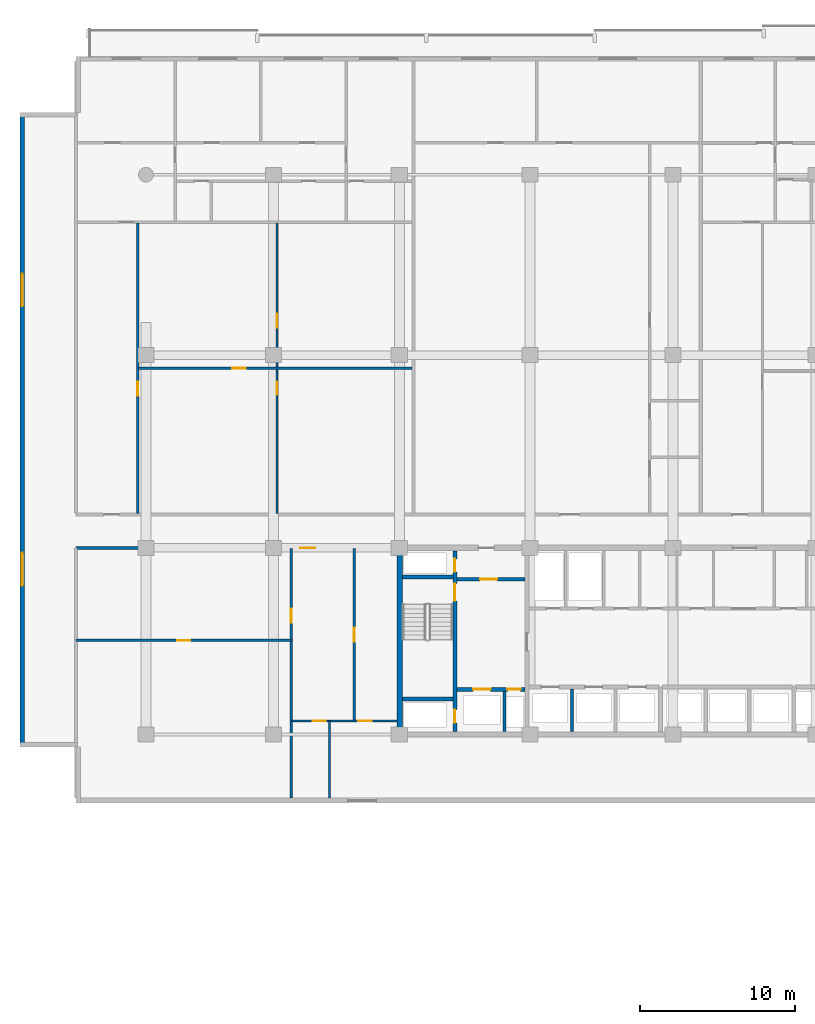
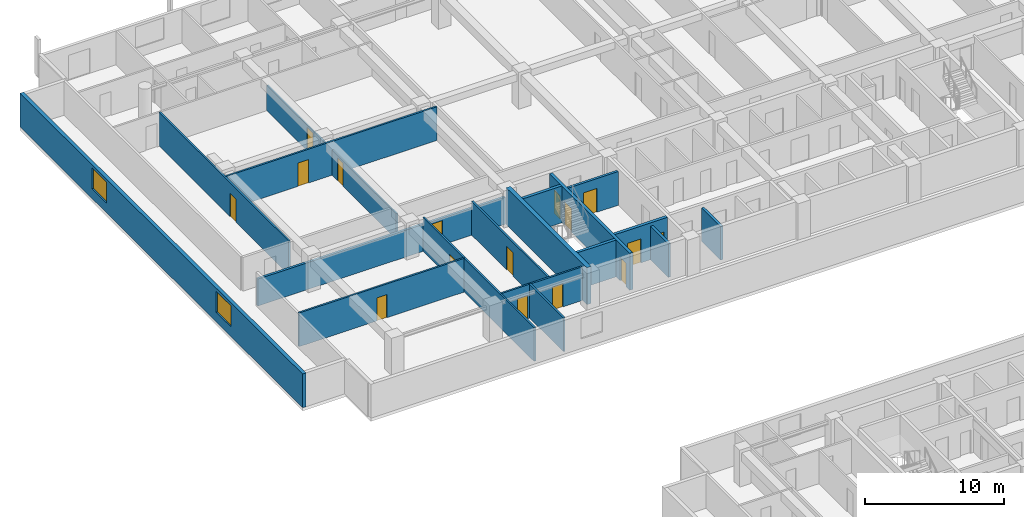
# One storey, part 10 of 23: 18 walls, 16 doors, 2 windows, 18 openings.
"""IFC4 building model written with IfcOpenShell, lengths in metres."""

from ifc_helpers import new_model, si_unit, direction, frame, frame_2d, origin, place, context, subcontext, project, spatial, rectangle, extrude, material, layer, layer_set, type_object, element, fill, save


model = new_model("IFC4")

# Units and contexts
model_context = context("Model", 3, precision=1e-05, world=origin(), true_north=direction((0.0, 1.0)))
body_context = subcontext(model_context, "Body", "Model", "MODEL_VIEW")
ifc_project = project(units=[si_unit("LENGTHUNIT", "METRE"), si_unit("AREAUNIT", "SQUARE_METRE"), si_unit("VOLUMEUNIT", "CUBIC_METRE"), si_unit("PLANEANGLEUNIT", "RADIAN"), si_unit("MASSUNIT", "GRAM", prefix="KILO")], contexts=[model_context])

# Site, building, storey
site_placement = place(None, origin())
site = spatial("IfcSite", under=ifc_project, at=site_placement, CompositionType="ELEMENT")
building_placement = place(site_placement, origin())
building = spatial("IfcBuilding", under=site, at=building_placement, Name="Korimba Cascade Residences", CompositionType="ELEMENT")
storey_placement = place(building_placement, frame((0.0, 0.0, 59.75)))
storey = spatial("IfcBuildingStorey", under=building, at=storey_placement, Name="L16", CompositionType="ELEMENT", Elevation=59.75)

# Wall, openings, windows
ifc_material_1 = material(Name="Precast concrete C40/50", Category="concrete")
ifc_layer_1 = layer(ifc_material_1, 0.300048828125)
ifc_layer_set_1 = layer_set([ifc_layer_1], Name="Precast concrete C40/50")
wall_type_1 = type_object("IfcWallType", Name="EW-STONE-300", PredefinedType="STANDARD", material=ifc_layer_set_1)
wall_1_placement = place(storey_placement, frame((51.85009765625, 95.199951171875, 0.0), z_axis=(0.0, 0.0, 1.0), x_axis=(0.0, -1.0, 0.0)))
wall_1 = element("IfcWall", 1, at=wall_1_placement, inside=storey, type_object=wall_type_1, Name="L16 T1 Perimeter Stone Wall E09", PredefinedType="STANDARD", context=body_context, shape_type="SweptSolid", body=[
    extrude(rectangle(XDim=40.800048828125, YDim=0.300048828125, at=frame_2d((20.39990234375, 0.0))), origin(), (0.0, 0.0, 1.0), 2.969970703125),
])
opening_1_placement = place(wall_1_placement, frame((10.3740234375, 0.0, 0.85009765625)))
opening_1 = element("IfcOpeningElement", 2, at=opening_1_placement, cuts=wall_1, Name="Opening W-03", PredefinedType="OPENING", context=body_context, shape_type="SweptSolid", body=[
    extrude(rectangle(XDim=2.10009765625, YDim=1.85009765625, at=frame_2d((1.050048828125, 0.925048828125))), frame((0.0, 0.16015625, 0.0), z_axis=(0.0, -1.0, 0.0), x_axis=(1.0, 0.0, 0.0)), (0.0, 0.0, 1.0), 0.320068359375),
])
opening_2_placement = place(wall_1_placement, frame((28.325927734375, 0.0, 0.85009765625)))
opening_2 = element("IfcOpeningElement", 3, at=opening_2_placement, cuts=wall_1, Name="Opening W-03", PredefinedType="OPENING", context=body_context, shape_type="SweptSolid", body=[
    extrude(rectangle(XDim=2.10009765625, YDim=1.85009765625, at=frame_2d((1.050048828125, 0.925048828125))), frame((0.0, 0.16015625, 0.0), z_axis=(0.0, -1.0, 0.0), x_axis=(1.0, 0.0, 0.0)), (0.0, 0.0, 1.0), 0.320068359375),
])
ifc_material_2 = material(Name="Double-Glazed Aluminium Window", Category="aluminium")
window_type = type_object("IfcWindowType", Name="WIN-CRN-2100", PartitioningType="DOUBLE_PANEL_HORIZONTAL", PredefinedType="WINDOW", material=ifc_material_2)
window_1_placement = place(opening_1_placement, origin())
window_1 = element("IfcWindow", 4, at=window_1_placement, inside=storey, type_object=window_type, Name="L16 T1 End View Window 9.1", OverallHeight=1.85009765625, OverallWidth=2.10009765625, PartitioningType="DOUBLE_PANEL_HORIZONTAL", PredefinedType="WINDOW", context=body_context, shape_type="SweptSolid", body=[
    extrude(rectangle(XDim=2.10009765625, YDim=1.85009765625, at=frame_2d((1.050048828125, 0.925048828125))), frame((0.0, 0.030029296875, 0.0), z_axis=(0.0, -1.0, 0.0), x_axis=(1.0, 0.0, 0.0)), (0.0, 0.0, 1.0), 0.06005859375),
])
fill(opening_1, window_1)
window_2_placement = place(opening_2_placement, origin())
window_2 = element("IfcWindow", 5, at=window_2_placement, inside=storey, type_object=window_type, Name="L16 T1 End View Window 9.2", OverallHeight=1.85009765625, OverallWidth=2.10009765625, PartitioningType="DOUBLE_PANEL_HORIZONTAL", PredefinedType="WINDOW", context=body_context, shape_type="SweptSolid", body=[
    extrude(rectangle(XDim=2.10009765625, YDim=1.85009765625, at=frame_2d((1.050048828125, 0.925048828125))), frame((0.0, 0.030029296875, 0.0), z_axis=(0.0, -1.0, 0.0), x_axis=(1.0, 0.0, 0.0)), (0.0, 0.0, 1.0), 0.06005859375),
])
fill(opening_2, window_2)

# Wall
ifc_material_3 = material(Name="Concrete C65/80", Category="concrete")
ifc_layer_2 = layer(ifc_material_3, 0.35009765625)
ifc_layer_set_2 = layer_set([ifc_layer_2], Name="Concrete C65/80")
wall_type_2 = type_object("IfcWallType", Name="WAL-CORE-350", PredefinedType="SHEAR", material=ifc_layer_set_2)
wall_2_placement = place(storey_placement, frame((76.125, 55.375, 0.0), z_axis=(0.0, 0.0, 1.0), x_axis=(0.0, 1.0, 0.0)))
element("IfcWall", 6, at=wall_2_placement, inside=storey, type_object=wall_type_2, Name="L16 Core Shear Wall CW-L16-T1-W", PredefinedType="SHEAR", context=body_context, shape_type="SweptSolid", body=[
    extrude(rectangle(XDim=11.64990234375, YDim=0.35009765625, at=frame_2d((5.824951171875, 0.0))), origin(), (0.0, 0.0, 1.0), 3.25),
])

# Wall, opening, door
ifc_layer_3 = layer(ifc_material_1, 0.199951171875)
ifc_layer_set_3 = layer_set([ifc_layer_3], Name="Precast concrete C40/50")
wall_type_3 = type_object("IfcWallType", Name="WAL-IT-200", PredefinedType="PARTITIONING", material=ifc_layer_set_3)
wall_3_placement = place(storey_placement, frame((55.300048828125, 67.199951171875, 0.0), z_axis=(0.0, 0.0, 1.0), x_axis=(1.0, 0.0, 0.0)))
wall_3 = element("IfcWall", 7, at=wall_3_placement, inside=storey, type_object=wall_type_3, Name="L16 Partition Wall WAL-L16-T1-FW-N", PredefinedType="PARTITIONING", context=body_context, shape_type="SweptSolid", body=[
    extrude(rectangle(XDim=20.64990234375, YDim=0.199951171875, at=frame_2d((10.324951171875, 0.0))), origin(), (0.0, 0.0, 1.0), 2.3701171875),
])
opening_3_placement = place(wall_3_placement, frame((14.426025390625, 0.0, 0.0)))
opening_3 = element("IfcOpeningElement", 8, at=opening_3_placement, cuts=wall_3, Name="Opening D-UN1", PredefinedType="OPENING", context=body_context, shape_type="SweptSolid", body=[
    extrude(rectangle(XDim=0.949951171875, YDim=2.14990234375, at=frame_2d((0.47509765625, 1.074951171875))), frame((0.0, 0.10986328125, 0.0), z_axis=(0.0, -1.0, 0.0), x_axis=(1.0, 0.0, 0.0)), (0.0, 0.0, 1.0), 0.219970703125),
])
ifc_material_4 = material(Name="Fire-Rated Hardwood Apartment Entrance Door", Category="wood")
door_type_1 = type_object("IfcDoorType", Name="DR-FD60-950", OperationType="NOTDEFINED", PredefinedType="DOOR", material=ifc_material_4)
door_1_placement = place(opening_3_placement, origin())
door_1 = element("IfcDoor", 9, at=door_1_placement, inside=storey, type_object=door_type_1, Name="L16-T1-FW Entrance Door", OperationType="SINGLE_SWING_LEFT", OverallHeight=2.14990234375, OverallWidth=0.949951171875, PredefinedType="DOOR", context=body_context, shape_type="SweptSolid", body=[
    extrude(rectangle(XDim=0.949951171875, YDim=2.14990234375, at=frame_2d((0.47509765625, 1.074951171875))), frame((0.0, 0.02490234375, 0.0), z_axis=(0.0, -1.0, 0.0), x_axis=(1.0, 0.0, 0.0)), (0.0, 0.0, 1.0), 0.050048828125),
])
fill(opening_3, door_1)

ifc_material_5 = material(Name="Insulated Acoustic Stud Partition", Category="gypsum")
ifc_layer_4 = layer(ifc_material_5, 0.14990234375)
ifc_layer_set_4 = layer_set([ifc_layer_4], Name="Insulated Acoustic Stud Partition")
wall_type_4 = type_object("IfcWallType", Name="WAL-PART-150", PredefinedType="PARTITIONING", material=ifc_layer_set_4)
wall_4_placement = place(storey_placement, frame((55.300048828125, 61.25, 0.0), z_axis=(0.0, 0.0, 1.0), x_axis=(1.0, 0.0, 0.0)))
wall_4 = element("IfcWall", 10, at=wall_4_placement, inside=storey, type_object=wall_type_4, Name="L16 Partition Wall WAL-L16-T1-FW-STH", PredefinedType="PARTITIONING", context=body_context, shape_type="SweptSolid", body=[
    extrude(rectangle(XDim=13.849853515625, YDim=0.14990234375, at=frame_2d((6.9248046875, 0.0))), origin(), (0.0, 0.0, 1.0), 2.969970703125),
])
opening_4_placement = place(wall_4_placement, frame((6.5048828125, 0.0, 0.0)))
opening_4 = element("IfcOpeningElement", 11, at=opening_4_placement, cuts=wall_4, Name="Opening D-BT1", PredefinedType="OPENING", context=body_context, shape_type="SweptSolid", body=[
    extrude(rectangle(XDim=0.840087890625, YDim=2.0400390625, at=frame_2d((0.419921875, 1.02001953125))), frame((0.0, 0.0849609375, 0.0), z_axis=(0.0, -1.0, 0.0), x_axis=(1.0, 0.0, 0.0)), (0.0, 0.0, 1.0), 0.169921875),
])
ifc_material_6 = material(Name="Moisture-Resistant Bathroom Timber Door", Category="wood")
door_type_2 = type_object("IfcDoorType", Name="DR-INT-850", OperationType="NOTDEFINED", PredefinedType="DOOR", material=ifc_material_6)
door_2_placement = place(opening_4_placement, origin())
door_2 = element("IfcDoor", 12, at=door_2_placement, inside=storey, type_object=door_type_2, Name="L16-T1-FW Dressing Store Door", OperationType="SINGLE_SWING_RIGHT", OverallHeight=2.0400390625, OverallWidth=0.840087890625, PredefinedType="DOOR", context=body_context, shape_type="SweptSolid", body=[
    extrude(rectangle(XDim=0.840087890625, YDim=2.0400390625, at=frame_2d((0.419921875, 1.02001953125))), frame((0.0, 0.02490234375, 0.0), z_axis=(0.0, -1.0, 0.0), x_axis=(1.0, 0.0, 0.0)), (0.0, 0.0, 1.0), 0.050048828125),
])
fill(opening_4, door_2)

wall_5_placement = place(storey_placement, frame((69.14990234375, 51.10009765625, 0.0), z_axis=(0.0, 0.0, 1.0), x_axis=(0.0, 1.0, 0.0)))
wall_5 = element("IfcWall", 13, at=wall_5_placement, inside=storey, type_object=wall_type_4, Name="L16 Partition Wall WAL-L16-T1-FW-STV", PredefinedType="PARTITIONING", context=body_context, shape_type="SweptSolid", body=[
    extrude(rectangle(XDim=16.0498046875, YDim=0.14990234375, at=frame_2d((8.02490234375, 0.0))), origin(), (0.0, 0.0, 1.0), 2.969970703125),
])
opening_5_placement = place(wall_5_placement, frame((11.300048828125, 0.0, 0.0)))
opening_5 = element("IfcOpeningElement", 14, at=opening_5_placement, cuts=wall_5, Name="Opening D-IN2", PredefinedType="OPENING", context=body_context, shape_type="SweptSolid", body=[
    extrude(rectangle(XDim=0.8798828125, YDim=2.06005859375, at=frame_2d((0.43994140625, 1.030029296875))), frame((0.0, 0.0849609375, 0.0), z_axis=(0.0, -1.0, 0.0), x_axis=(1.0, 0.0, 0.0)), (0.0, 0.0, 1.0), 0.169921875),
])
ifc_material_7 = material(Name="Acoustic Timber Bedroom Door", Category="wood")
door_type_3 = type_object("IfcDoorType", Name="DR-INT-880", OperationType="NOTDEFINED", PredefinedType="DOOR", material=ifc_material_7)
door_3_placement = place(opening_5_placement, origin())
door_3 = element("IfcDoor", 15, at=door_3_placement, inside=storey, type_object=door_type_3, Name="L16-T1-FW Study Door", OperationType="SINGLE_SWING_LEFT", OverallHeight=2.06005859375, OverallWidth=0.8798828125, PredefinedType="DOOR", context=body_context, shape_type="SweptSolid", body=[
    extrude(rectangle(XDim=0.8798828125, YDim=2.06005859375, at=frame_2d((0.43994140625, 1.030029296875))), frame((0.0, 0.02490234375, 0.0), z_axis=(0.0, -1.0, 0.0), x_axis=(1.0, 0.0, 0.0)), (0.0, 0.0, 1.0), 0.050048828125),
])
fill(opening_5, door_3)

wall_6_placement = place(storey_placement, frame((73.199951171875, 56.070068359375, 0.0), z_axis=(0.0, 0.0, 1.0), x_axis=(0.0, 1.0, 0.0)))
wall_6 = element("IfcWall", 16, at=wall_6_placement, inside=storey, type_object=wall_type_4, Name="L16 Partition Wall WAL-L16-T1-FW-VN", PredefinedType="PARTITIONING", context=body_context, shape_type="SweptSolid", body=[
    extrude(rectangle(XDim=11.079833984375, YDim=0.14990234375, at=frame_2d((5.5400390625, 0.0))), origin(), (0.0, 0.0, 1.0), 2.969970703125),
])
opening_6_placement = place(wall_6_placement, frame((5.080078125, 0.0, 0.0)))
opening_6 = element("IfcOpeningElement", 17, at=opening_6_placement, cuts=wall_6, Name="Opening D-IN1", PredefinedType="OPENING", context=body_context, shape_type="SweptSolid", body=[
    extrude(rectangle(XDim=0.919921875, YDim=2.080078125, at=frame_2d((0.4599609375, 1.0400390625))), frame((0.0, 0.0849609375, 0.0), z_axis=(0.0, -1.0, 0.0), x_axis=(1.0, 0.0, 0.0)), (0.0, 0.0, 1.0), 0.169921875),
])
ifc_material_8 = material(Name="Acoustic Timber Living Door", Category="wood")
door_type_4 = type_object("IfcDoorType", Name="DR-INT-920", OperationType="NOTDEFINED", PredefinedType="DOOR", material=ifc_material_8)
door_4_placement = place(opening_6_placement, origin())
door_4 = element("IfcDoor", 18, at=door_4_placement, inside=storey, type_object=door_type_4, Name="L16-T1-FW Living Door", OperationType="SINGLE_SWING_RIGHT", OverallHeight=2.080078125, OverallWidth=0.919921875, PredefinedType="DOOR", context=body_context, shape_type="SweptSolid", body=[
    extrude(rectangle(XDim=0.919921875, YDim=2.080078125, at=frame_2d((0.4599609375, 1.0400390625))), frame((0.0, 0.02490234375, 0.0), z_axis=(0.0, -1.0, 0.0), x_axis=(1.0, 0.0, 0.0)), (0.0, 0.0, 1.0), 0.050048828125),
])
fill(opening_6, door_4)

# Wall
wall_7_placement = place(storey_placement, frame((71.60009765625, 51.10009765625, 0.0), z_axis=(0.0, 0.0, 1.0), x_axis=(0.0, 1.0, 0.0)))
element("IfcWall", 19, at=wall_7_placement, inside=storey, type_object=wall_type_4, Name="L16 Partition Wall WAL-L16-T1-FW-VS", PredefinedType="PARTITIONING", context=body_context, shape_type="SweptSolid", body=[
    extrude(rectangle(XDim=4.969970703125, YDim=0.14990234375, at=frame_2d((2.48486328125, 0.0))), origin(), (0.0, 0.0, 1.0), 2.969970703125),
])

# Wall, openings, doors
wall_8_placement = place(storey_placement, frame((69.169921875, 56.070068359375, 0.0), z_axis=(0.0, 0.0, 1.0), x_axis=(1.0, 0.0, 0.0)))
wall_8 = element("IfcWall", 20, at=wall_8_placement, inside=storey, type_object=wall_type_4, Name="L16 Partition Wall WAL-L16-T1-FW-H", PredefinedType="PARTITIONING", context=body_context, shape_type="SweptSolid", body=[
    extrude(rectangle(XDim=6.760009765625, YDim=0.14990234375, at=frame_2d((3.3798828125, 0.0))), origin(), (0.0, 0.0, 1.0), 2.969970703125),
])
opening_7_placement = place(wall_8_placement, frame((1.3623046875, 0.0, 0.0)))
opening_7 = element("IfcOpeningElement", 21, at=opening_7_placement, cuts=wall_8, Name="Opening D-BT1", PredefinedType="OPENING", context=body_context, shape_type="SweptSolid", body=[
    extrude(rectangle(XDim=0.840087890625, YDim=2.0400390625, at=frame_2d((0.419921875, 1.02001953125))), frame((0.0, 0.0849609375, 0.0), z_axis=(0.0, -1.0, 0.0), x_axis=(1.0, 0.0, 0.0)), (0.0, 0.0, 1.0), 0.169921875),
])
opening_8_placement = place(wall_8_placement, frame((4.276611328125, 0.0, 0.0)))
opening_8 = element("IfcOpeningElement", 22, at=opening_8_placement, cuts=wall_8, Name="Opening D-IN2", PredefinedType="OPENING", context=body_context, shape_type="SweptSolid", body=[
    extrude(rectangle(XDim=0.8798828125, YDim=2.06005859375, at=frame_2d((0.43994140625, 1.030029296875))), frame((0.0, 0.0849609375, 0.0), z_axis=(0.0, -1.0, 0.0), x_axis=(1.0, 0.0, 0.0)), (0.0, 0.0, 1.0), 0.169921875),
])
door_5_placement = place(opening_7_placement, origin())
door_5 = element("IfcDoor", 23, at=door_5_placement, inside=storey, type_object=door_type_2, Name="L16-T1-FW Bathroom Door", OperationType="SINGLE_SWING_LEFT", OverallHeight=2.0400390625, OverallWidth=0.840087890625, PredefinedType="DOOR", context=body_context, shape_type="SweptSolid", body=[
    extrude(rectangle(XDim=0.840087890625, YDim=2.0400390625, at=frame_2d((0.419921875, 1.02001953125))), frame((0.0, 0.02490234375, 0.0), z_axis=(0.0, -1.0, 0.0), x_axis=(1.0, 0.0, 0.0)), (0.0, 0.0, 1.0), 0.050048828125),
])
fill(opening_7, door_5)
door_6_placement = place(opening_8_placement, origin())
door_6 = element("IfcDoor", 24, at=door_6_placement, inside=storey, type_object=door_type_3, Name="L16-T1-FW Bedroom Door", OperationType="SINGLE_SWING_RIGHT", OverallHeight=2.06005859375, OverallWidth=0.8798828125, PredefinedType="DOOR", context=body_context, shape_type="SweptSolid", body=[
    extrude(rectangle(XDim=0.8798828125, YDim=2.06005859375, at=frame_2d((0.43994140625, 1.030029296875))), frame((0.0, 0.02490234375, 0.0), z_axis=(0.0, -1.0, 0.0), x_axis=(1.0, 0.0, 0.0)), (0.0, 0.0, 1.0), 0.050048828125),
])
fill(opening_8, door_6)

wall_9_placement = place(storey_placement, frame((68.226806640625, 69.409912109375, 0.0), z_axis=(0.0, 0.0, 1.0), x_axis=(0.0, 1.0, 0.0)))
wall_9 = element("IfcWall", 25, at=wall_9_placement, inside=storey, type_object=wall_type_4, Name="L16 Partition Wall WAL-L16-T1-U01-FMV", PredefinedType="PARTITIONING", context=body_context, shape_type="SweptSolid", body=[
    extrude(rectangle(XDim=18.7001953125, YDim=0.14990234375, at=frame_2d((9.35009765625, 0.0))), origin(), (0.0, 0.0, 1.0), 2.219970703125),
])
opening_9_placement = place(wall_9_placement, frame((7.627197265625, 0.0, 0.0)))
opening_9 = element("IfcOpeningElement", 26, at=opening_9_placement, cuts=wall_9, Name="Opening D-BT1", PredefinedType="OPENING", context=body_context, shape_type="SweptSolid", body=[
    extrude(rectangle(XDim=0.840087890625, YDim=2.0400390625, at=frame_2d((0.419921875, 1.02001953125))), frame((0.0, 0.0849609375, 0.0), z_axis=(0.0, -1.0, 0.0), x_axis=(1.0, 0.0, 0.0)), (0.0, 0.0, 1.0), 0.169921875),
])
opening_10_placement = place(wall_9_placement, frame((11.9609375, 0.0, 0.0)))
opening_10 = element("IfcOpeningElement", 27, at=opening_10_placement, cuts=wall_9, Name="Opening D-IN2", PredefinedType="OPENING", context=body_context, shape_type="SweptSolid", body=[
    extrude(rectangle(XDim=0.8798828125, YDim=2.06005859375, at=frame_2d((0.43994140625, 1.030029296875))), frame((0.0, 0.0849609375, 0.0), z_axis=(0.0, -1.0, 0.0), x_axis=(1.0, 0.0, 0.0)), (0.0, 0.0, 1.0), 0.169921875),
])
door_7_placement = place(opening_9_placement, origin())
door_7 = element("IfcDoor", 28, at=door_7_placement, inside=storey, type_object=door_type_2, Name="L16-T1-U01 Wardrobe Door", OperationType="SINGLE_SWING_RIGHT", OverallHeight=2.0400390625, OverallWidth=0.840087890625, PredefinedType="DOOR", context=body_context, shape_type="SweptSolid", body=[
    extrude(rectangle(XDim=0.840087890625, YDim=2.0400390625, at=frame_2d((0.419921875, 1.02001953125))), frame((0.0, 0.02490234375, 0.0), z_axis=(0.0, -1.0, 0.0), x_axis=(1.0, 0.0, 0.0)), (0.0, 0.0, 1.0), 0.050048828125),
])
fill(opening_9, door_7)
door_8_placement = place(opening_10_placement, origin())
door_8 = element("IfcDoor", 29, at=door_8_placement, inside=storey, type_object=door_type_3, Name="L16-T1-U01 Music Lounge Door", OperationType="SINGLE_SWING_LEFT", OverallHeight=2.06005859375, OverallWidth=0.8798828125, PredefinedType="DOOR", context=body_context, shape_type="SweptSolid", body=[
    extrude(rectangle(XDim=0.8798828125, YDim=2.06005859375, at=frame_2d((0.43994140625, 1.030029296875))), frame((0.0, 0.02490234375, 0.0), z_axis=(0.0, -1.0, 0.0), x_axis=(1.0, 0.0, 0.0)), (0.0, 0.0, 1.0), 0.050048828125),
])
fill(opening_10, door_8)

# Wall, opening, door
wall_10_placement = place(storey_placement, frame((59.330078125, 78.760009765625, 0.0), z_axis=(0.0, 0.0, 1.0), x_axis=(1.0, 0.0, 0.0)))
wall_10 = element("IfcWall", 30, at=wall_10_placement, inside=storey, type_object=wall_type_4, Name="L16 Partition Wall WAL-L16-T1-U01-FMH", PredefinedType="PARTITIONING", context=body_context, shape_type="SweptSolid", body=[
    extrude(rectangle(XDim=17.593505859375, YDim=0.14990234375, at=frame_2d((8.796875, 0.0))), origin(), (0.0, 0.0, 1.0), 2.969970703125),
])
opening_11_placement = place(wall_10_placement, frame((6.009521484375, 0.0, 0.0)))
opening_11 = element("IfcOpeningElement", 31, at=opening_11_placement, cuts=wall_10, Name="Opening D-IN2", PredefinedType="OPENING", context=body_context, shape_type="SweptSolid", body=[
    extrude(rectangle(XDim=0.8798828125, YDim=2.06005859375, at=frame_2d((0.43994140625, 1.030029296875))), frame((0.0, 0.0849609375, 0.0), z_axis=(0.0, -1.0, 0.0), x_axis=(1.0, 0.0, 0.0)), (0.0, 0.0, 1.0), 0.169921875),
])
door_9_placement = place(opening_11_placement, origin())
door_9 = element("IfcDoor", 32, at=door_9_placement, inside=storey, type_object=door_type_3, Name="L16-T1-U01 Library Salon Door", OperationType="SINGLE_SWING_RIGHT", OverallHeight=2.06005859375, OverallWidth=0.8798828125, PredefinedType="DOOR", context=body_context, shape_type="SweptSolid", body=[
    extrude(rectangle(XDim=0.8798828125, YDim=2.06005859375, at=frame_2d((0.43994140625, 1.030029296875))), frame((0.0, 0.02490234375, 0.0), z_axis=(0.0, -1.0, 0.0), x_axis=(1.0, 0.0, 0.0)), (0.0, 0.0, 1.0), 0.050048828125),
])
fill(opening_11, door_9)

wall_11_placement = place(storey_placement, frame((59.27001953125, 69.409912109375, 0.0), z_axis=(0.0, 0.0, 1.0), x_axis=(0.0, 1.0, 0.0)))
wall_11 = element("IfcWall", 33, at=wall_11_placement, inside=storey, type_object=wall_type_4, Name="L16 Partition Wall WAL-L16-T1-U01-FV", PredefinedType="PARTITIONING", context=body_context, shape_type="SweptSolid", body=[
    extrude(rectangle(XDim=18.7001953125, YDim=0.14990234375, at=frame_2d((9.35009765625, 0.0))), origin(), (0.0, 0.0, 1.0), 2.969970703125),
])
opening_12_placement = place(wall_11_placement, frame((7.59033203125, 0.0, 0.0)))
opening_12 = element("IfcOpeningElement", 34, at=opening_12_placement, cuts=wall_11, Name="Opening D-IN2", PredefinedType="OPENING", context=body_context, shape_type="SweptSolid", body=[
    extrude(rectangle(XDim=0.8798828125, YDim=2.06005859375, at=frame_2d((0.43994140625, 1.030029296875))), frame((0.0, 0.0849609375, 0.0), z_axis=(0.0, -1.0, 0.0), x_axis=(1.0, 0.0, 0.0)), (0.0, 0.0, 1.0), 0.169921875),
])
door_10_placement = place(opening_12_placement, origin())
door_10 = element("IfcDoor", 35, at=door_10_placement, inside=storey, type_object=door_type_3, Name="L16-T1-U01 Media Lounge Door", OperationType="SINGLE_SWING_LEFT", OverallHeight=2.06005859375, OverallWidth=0.8798828125, PredefinedType="DOOR", context=body_context, shape_type="SweptSolid", body=[
    extrude(rectangle(XDim=0.8798828125, YDim=2.06005859375, at=frame_2d((0.43994140625, 1.030029296875))), frame((0.0, 0.02490234375, 0.0), z_axis=(0.0, -1.0, 0.0), x_axis=(1.0, 0.0, 0.0)), (0.0, 0.0, 1.0), 0.050048828125),
])
fill(opening_12, door_10)

# Wall
ifc_material_9 = material(Name="Concrete C40/50", Category="concrete")
ifc_layer_5 = layer(ifc_material_9, 0.199951171875)
ifc_layer_set_5 = layer_set([ifc_layer_5], Name="Concrete C40/50")
wall_type_5 = type_object("IfcWallType", Name="WAL-PART-200", PredefinedType="PARTITIONING", material=ifc_layer_set_5)
wall_12_placement = place(storey_placement, frame((82.85009765625, 55.39990234375, 0.0), z_axis=(0.0, 0.0, 1.0), x_axis=(0.0, 1.0, 0.0)))
element("IfcWall", 36, at=wall_12_placement, inside=storey, type_object=wall_type_5, Name="L16 Partition Wall CW-L16-T1-FFLDIV", PredefinedType="PARTITIONING", context=body_context, shape_type="SweptSolid", body=[
    extrude(rectangle(XDim=2.56005859375, YDim=0.199951171875, at=frame_2d((1.280029296875, 0.0))), origin(), (0.0, 0.0, 1.0), 2.969970703125),
])

# Wall, opening, door
wall_13_placement = place(storey_placement, frame((79.7900390625, 65.179931640625, 0.0), z_axis=(0.0, 0.0, 1.0), x_axis=(1.0, 0.0, 0.0)))
wall_13 = element("IfcWall", 37, at=wall_13_placement, inside=storey, type_object=wall_type_5, Name="L16 Partition Wall CW-L16-T1-FFLN", PredefinedType="PARTITIONING", context=body_context, shape_type="SweptSolid", body=[
    extrude(rectangle(XDim=4.389892578125, YDim=0.199951171875, at=frame_2d((2.19482421875, 0.0))), origin(), (0.0, 0.0, 1.0), 2.969970703125),
])
opening_13_placement = place(wall_13_placement, frame((1.5, 0.0, 0.0)))
opening_13 = element("IfcOpeningElement", 38, at=opening_13_placement, cuts=wall_13, Name="Opening D-FD1", PredefinedType="OPENING", context=body_context, shape_type="SweptSolid", body=[
    extrude(rectangle(XDim=1.10009765625, YDim=2.10009765625, at=frame_2d((0.550048828125, 1.050048828125))), frame((0.0, 0.10986328125, 0.0), z_axis=(0.0, -1.0, 0.0), x_axis=(1.0, 0.0, 0.0)), (0.0, 0.0, 1.0), 0.219970703125),
])
ifc_material_10 = material(Name="Fire-Rated Steel Core Door", Category="steel")
door_type_5 = type_object("IfcDoorType", Name="DR-FD120-1100", OperationType="NOTDEFINED", PredefinedType="DOOR", material=ifc_material_10)
door_11_placement = place(opening_13_placement, origin())
door_11 = element("IfcDoor", 39, at=door_11_placement, inside=storey, type_object=door_type_5, Name="L16 West Firefighting Lobby Door", OperationType="SINGLE_SWING_LEFT", OverallHeight=2.10009765625, OverallWidth=1.10009765625, PredefinedType="DOOR", context=body_context, shape_type="SweptSolid", body=[
    extrude(rectangle(XDim=1.10009765625, YDim=2.10009765625, at=frame_2d((0.550048828125, 1.050048828125))), frame((0.0, 0.02490234375, 0.0), z_axis=(0.0, -1.0, 0.0), x_axis=(1.0, 0.0, 0.0)), (0.0, 0.0, 1.0), 0.050048828125),
])
fill(opening_13, door_11)

# Wall
wall_14_placement = place(storey_placement, frame((87.199951171875, 55.39990234375, 0.0), z_axis=(0.0, 0.0, 1.0), x_axis=(0.0, 1.0, 0.0)))
element("IfcWall", 40, at=wall_14_placement, inside=storey, type_object=wall_type_5, Name="L16 Partition Wall CW-L16-T1-B1D1", PredefinedType="PARTITIONING", context=body_context, shape_type="SweptSolid", body=[
    extrude(rectangle(XDim=2.72021484375, YDim=0.199951171875, at=frame_2d((1.360107421875, 0.0))), origin(), (0.0, 0.0, 1.0), 2.969970703125),
])

# Wall, openings, doors
ifc_material_11 = material(Name="Concrete C50/60", Category="concrete")
ifc_layer_6 = layer(ifc_material_11, 0.25)
ifc_layer_set_6 = layer_set([ifc_layer_6], Name="Concrete C50/60")
wall_type_6 = type_object("IfcWallType", Name="WAL-SHAFT-250", PredefinedType="SHEAR", material=ifc_layer_set_6)
wall_15_placement = place(storey_placement, frame((79.6650390625, 55.39990234375, 0.0), z_axis=(0.0, 0.0, 1.0), x_axis=(0.0, 1.0, 0.0)))
wall_15 = element("IfcWall", 41, at=wall_15_placement, inside=storey, type_object=wall_type_6, Name="L16 Core Shear Wall CW-L16-T1-STW1E", PredefinedType="SHEAR", context=body_context, shape_type="SweptSolid", body=[
    extrude(rectangle(XDim=11.60009765625, YDim=0.25, at=frame_2d((5.800048828125, 0.0))), origin(), (0.0, 0.0, 1.0), 3.25),
])
opening_14_placement = place(wall_15_placement, frame((0.550048828125, 0.0, 0.0)))
opening_14 = element("IfcOpeningElement", 42, at=opening_14_placement, cuts=wall_15, Name="Opening D-RS1", PredefinedType="OPENING", context=body_context, shape_type="SweptSolid", body=[
    extrude(rectangle(XDim=0.85009765625, YDim=2.050048828125, at=frame_2d((0.425048828125, 1.02490234375))), frame((0.0, 0.135009765625, 0.0), z_axis=(0.0, -1.0, 0.0), x_axis=(1.0, 0.0, 0.0)), (0.0, 0.0, 1.0), 0.27001953125),
])
opening_15_placement = place(wall_15_placement, frame((8.39990234375, 0.0, 0.0)))
opening_15 = element("IfcOpeningElement", 43, at=opening_15_placement, cuts=wall_15, Name="Opening D-FD1", PredefinedType="OPENING", context=body_context, shape_type="SweptSolid", body=[
    extrude(rectangle(XDim=1.10009765625, YDim=2.10009765625, at=frame_2d((0.550048828125, 1.050048828125))), frame((0.0, 0.135009765625, 0.0), z_axis=(0.0, -1.0, 0.0), x_axis=(1.0, 0.0, 0.0)), (0.0, 0.0, 1.0), 0.27001953125),
])
opening_16_placement = place(wall_15_placement, frame((10.25, 0.0, 0.0)))
opening_16 = element("IfcOpeningElement", 44, at=opening_16_placement, cuts=wall_15, Name="Opening D-RS1", PredefinedType="OPENING", context=body_context, shape_type="SweptSolid", body=[
    extrude(rectangle(XDim=0.85009765625, YDim=2.050048828125, at=frame_2d((0.425048828125, 1.02490234375))), frame((0.0, 0.135009765625, 0.0), z_axis=(0.0, -1.0, 0.0), x_axis=(1.0, 0.0, 0.0)), (0.0, 0.0, 1.0), 0.27001953125),
])
door_12_placement = place(opening_15_placement, origin())
door_12 = element("IfcDoor", 45, at=door_12_placement, inside=storey, type_object=door_type_5, Name="L16 Fire Stair ST-W1 Door", OperationType="SINGLE_SWING_RIGHT", OverallHeight=2.10009765625, OverallWidth=1.10009765625, PredefinedType="DOOR", context=body_context, shape_type="SweptSolid", body=[
    extrude(rectangle(XDim=1.10009765625, YDim=2.10009765625, at=frame_2d((0.550048828125, 1.050048828125))), frame((0.0, 0.02490234375, 0.0), z_axis=(0.0, -1.0, 0.0), x_axis=(1.0, 0.0, 0.0)), (0.0, 0.0, 1.0), 0.050048828125),
])
fill(opening_15, door_12)
ifc_material_12 = material(Name="Fire-Rated Steel Riser Access Door", Category="steel")
door_type_6 = type_object("IfcDoorType", Name="DR-FD60-850", OperationType="NOTDEFINED", PredefinedType="DOOR", material=ifc_material_12)
door_13_placement = place(opening_14_placement, origin())
door_13 = element("IfcDoor", 46, at=door_13_placement, inside=storey, type_object=door_type_6, Name="L16 Smoke Riser Access Door", OperationType="SINGLE_SWING_LEFT", OverallHeight=2.050048828125, OverallWidth=0.85009765625, PredefinedType="DOOR", context=body_context, shape_type="SweptSolid", body=[
    extrude(rectangle(XDim=0.85009765625, YDim=2.050048828125, at=frame_2d((0.425048828125, 1.02490234375))), frame((0.0, 0.02490234375, 0.0), z_axis=(0.0, -1.0, 0.0), x_axis=(1.0, 0.0, 0.0)), (0.0, 0.0, 1.0), 0.050048828125),
])
fill(opening_14, door_13)
door_14_placement = place(opening_16_placement, origin())
door_14 = element("IfcDoor", 47, at=door_14_placement, inside=storey, type_object=door_type_6, Name="L16 Hydrant Riser Access Door", OperationType="SINGLE_SWING_LEFT", OverallHeight=2.050048828125, OverallWidth=0.85009765625, PredefinedType="DOOR", context=body_context, shape_type="SweptSolid", body=[
    extrude(rectangle(XDim=0.85009765625, YDim=2.050048828125, at=frame_2d((0.425048828125, 1.02490234375))), frame((0.0, 0.02490234375, 0.0), z_axis=(0.0, -1.0, 0.0), x_axis=(1.0, 0.0, 0.0)), (0.0, 0.0, 1.0), 0.050048828125),
])
fill(opening_16, door_14)

# Walls
for number, where, z_axis, x_axis, name in (
    (48, (76.300048828125, 57.47509765625, 0.0), (0.0, 0.0, 1.0), (1.0, 0.0, 0.0), "L16 Core Shear Wall CW-L16-T1-STW1S"),
    (49, (76.300048828125, 65.324951171875, 0.0), (0.0, 0.0, 1.0), (1.0, 0.0, 0.0), "L16 Core Shear Wall CW-L16-T1-STW1N"),
):
    element("IfcWall", number, at=place(storey_placement, frame(where, z_axis=z_axis, x_axis=x_axis)), inside=storey, type_object=wall_type_6, Name=name, PredefinedType="SHEAR", context=body_context, shape_type="SweptSolid", body=[
        extrude(rectangle(XDim=3.239990234375, YDim=0.25, at=frame_2d((1.6201171875, 0.0))), origin(), (0.0, 0.0, 1.0), 3.25),
    ])

# Wall, openings, doors
wall_16_placement = place(storey_placement, frame((79.7900390625, 58.10009765625, 0.0), z_axis=(0.0, 0.0, 1.0), x_axis=(1.0, 0.0, 0.0)))
wall_16 = element("IfcWall", 50, at=wall_16_placement, inside=storey, type_object=wall_type_6, Name="L16 Core Shear Wall CW-L16-T1-FFLS", PredefinedType="SHEAR", context=body_context, shape_type="SweptSolid", body=[
    extrude(rectangle(XDim=4.389892578125, YDim=0.25, at=frame_2d((2.19482421875, 0.0))), origin(), (0.0, 0.0, 1.0), 3.25),
])
opening_17_placement = place(wall_16_placement, frame((1.050048828125, 0.0, 0.0)))
opening_17 = element("IfcOpeningElement", 51, at=opening_17_placement, cuts=wall_16, Name="Opening LD-01", PredefinedType="OPENING", context=body_context, shape_type="SweptSolid", body=[
    extrude(rectangle(XDim=1.1201171875, YDim=2.1201171875, at=frame_2d((0.56005859375, 1.06005859375))), frame((0.0, 0.135009765625, 0.0), z_axis=(0.0, -1.0, 0.0), x_axis=(1.0, 0.0, 0.0)), (0.0, 0.0, 1.0), 0.27001953125),
])
opening_18_placement = place(wall_16_placement, frame((3.260009765625, 0.0, 0.0)))
opening_18 = element("IfcOpeningElement", 52, at=opening_18_placement, cuts=wall_16, Name="Opening D-RS1", PredefinedType="OPENING", context=body_context, shape_type="SweptSolid", body=[
    extrude(rectangle(XDim=0.85009765625, YDim=2.050048828125, at=frame_2d((0.425048828125, 1.02490234375))), frame((0.0, 0.135009765625, 0.0), z_axis=(0.0, -1.0, 0.0), x_axis=(1.0, 0.0, 0.0)), (0.0, 0.0, 1.0), 0.27001953125),
])
door_15_placement = place(opening_18_placement, origin())
door_15 = element("IfcDoor", 53, at=door_15_placement, inside=storey, type_object=door_type_6, Name="L16 Pressurisation Riser Door", OperationType="SINGLE_SWING_RIGHT", OverallHeight=2.050048828125, OverallWidth=0.85009765625, PredefinedType="DOOR", context=body_context, shape_type="SweptSolid", body=[
    extrude(rectangle(XDim=0.85009765625, YDim=2.050048828125, at=frame_2d((0.425048828125, 1.02490234375))), frame((0.0, 0.02490234375, 0.0), z_axis=(0.0, -1.0, 0.0), x_axis=(1.0, 0.0, 0.0)), (0.0, 0.0, 1.0), 0.050048828125),
])
fill(opening_18, door_15)
ifc_material_13 = material(Name="Stainless Steel Lift Landing Sliding Door", Category="steel")
door_type_7 = type_object("IfcDoorType", Name="DR-LIFT-1100", OperationType="NOTDEFINED", PredefinedType="DOOR", material=ifc_material_13)
door_16_placement = place(opening_17_placement, origin())
door_16 = element("IfcDoor", 54, at=door_16_placement, inside=storey, type_object=door_type_7, Name="L16 Firefighting Lift Landing Door FFL-W1", OperationType="SLIDING_TO_LEFT", OverallHeight=2.1201171875, OverallWidth=1.1201171875, PredefinedType="DOOR", context=body_context, shape_type="SweptSolid", body=[
    extrude(rectangle(XDim=1.1201171875, YDim=2.1201171875, at=frame_2d((0.56005859375, 1.06005859375))), frame((0.0, 0.02490234375, 0.0), z_axis=(0.0, -1.0, 0.0), x_axis=(1.0, 0.0, 0.0)), (0.0, 0.0, 1.0), 0.050048828125),
])
fill(opening_17, door_16)

save(model, "model.ifc")
